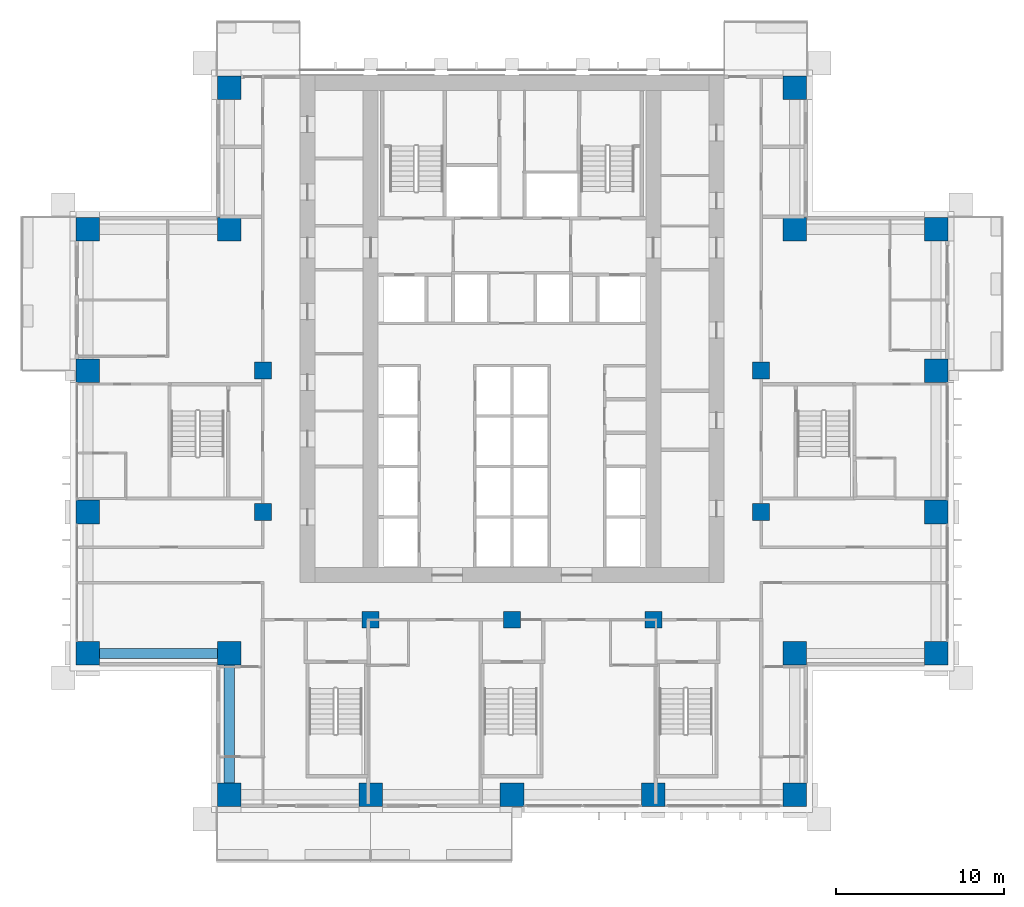
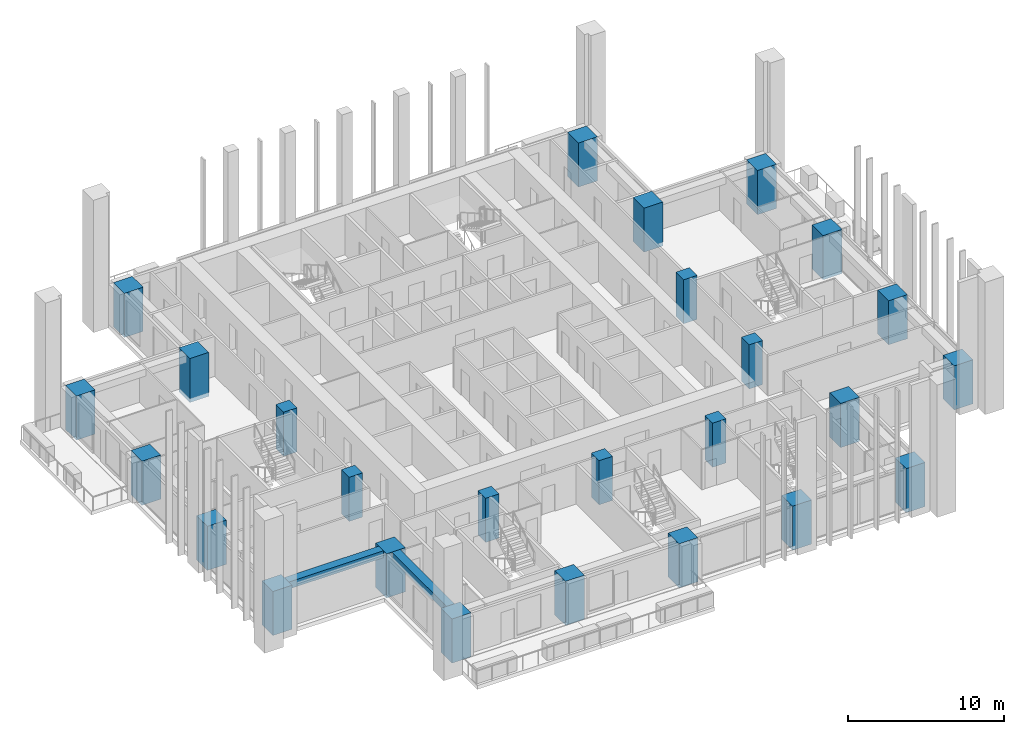
# One storey, part 1 of 17: 26 columns, 2 beams.
"""IFC4 building model written with IfcOpenShell, lengths in metres."""

from ifc_helpers import new_model, si_unit, direction, frame, origin, origin_2d, place, context, subcontext, project, spatial, rectangle, extrude, material, material_profile, profile_set, type_object, element, save


model = new_model("IFC4")

# Units and contexts
model_context = context("Model", 3, precision=1e-05, world=origin(), true_north=direction((0.0, 1.0)))
body_context = subcontext(model_context, "Body", "Model", "MODEL_VIEW")
ifc_project = project(units=[si_unit("LENGTHUNIT", "METRE"), si_unit("AREAUNIT", "SQUARE_METRE"), si_unit("VOLUMEUNIT", "CUBIC_METRE"), si_unit("PLANEANGLEUNIT", "RADIAN"), si_unit("MASSUNIT", "GRAM", prefix="KILO")], contexts=[model_context])

# Site, building, storey
site_placement = place(None, origin())
site = spatial("IfcSite", under=ifc_project, at=site_placement, CompositionType="ELEMENT")
building_placement = place(site_placement, origin())
building = spatial("IfcBuilding", under=site, at=building_placement, Name="Vermilion Ogive Tower", CompositionType="ELEMENT")
storey_placement = place(building_placement, frame((0.0, 0.0, 37.949951171875)))
storey = spatial("IfcBuildingStorey", under=building, at=storey_placement, Name="L07", CompositionType="ELEMENT", Elevation=37.949951171875)

# Columns
ifc_material_1 = material(Name="Concrete B80", Category="concrete")
ifc_material_profile_1 = material_profile(ifc_material_1, rectangle(XDim=1.39990234375, YDim=1.39990234375, at=origin_2d()), Name="1400 x 1400")
ifc_profile_set_1 = profile_set([ifc_material_profile_1], Name="Concrete B80")
column_type_1 = type_object("IfcColumnType", Name="Perimeter column 1400 x 1400 B80", PredefinedType="COLUMN", material=ifc_profile_set_1)
for number, where, z_axis, x_axis, name in (
    (1, (-16.800048828125, -21.0, -0.320068359375), (0.0, 0.0, 1.0), (1.0, 0.0, 0.0), "COL-L07-P-0168-210"),
    (2, (-8.39990234375, -21.0, -0.320068359375), (0.0, 0.0, 1.0), (1.0, 0.0, 0.0), "COL-L07-P-0084-210"),
    (3, (0.0, -21.0, -0.320068359375), (0.0, 0.0, 1.0), (1.0, 0.0, 0.0), "COL-L07-P+0000-210"),
    (4, (8.39990234375, -21.0, -0.320068359375), (0.0, 0.0, 1.0), (1.0, 0.0, 0.0), "COL-L07-P+0084-210"),
    (5, (16.800048828125, -21.0, -0.320068359375), (0.0, 0.0, 1.0), (1.0, 0.0, 0.0), "COL-L07-P+0168-210"),
    (6, (-25.199951171875, -12.60009765625, -0.320068359375), (0.0, 0.0, 1.0), (1.0, 0.0, 0.0), "COL-L07-P-0252-126"),
    (7, (-16.800048828125, -12.60009765625, -0.320068359375), (0.0, 0.0, 1.0), (1.0, 0.0, 0.0), "COL-L07-P-0168-126"),
    (8, (16.800048828125, -12.60009765625, -0.320068359375), (0.0, 0.0, 1.0), (1.0, 0.0, 0.0), "COL-L07-P+0168-126"),
    (9, (25.199951171875, -12.60009765625, -0.320068359375), (0.0, 0.0, 1.0), (1.0, 0.0, 0.0), "COL-L07-P+0252-126"),
    (10, (-25.199951171875, -4.199951171875, -0.320068359375), (0.0, 0.0, 1.0), (1.0, 0.0, 0.0), "COL-L07-P-0252-042"),
    (11, (25.199951171875, -4.199951171875, -0.320068359375), (0.0, 0.0, 1.0), (1.0, 0.0, 0.0), "COL-L07-P+0252-042"),
    (12, (-25.199951171875, 4.199951171875, -0.320068359375), (0.0, 0.0, 1.0), (1.0, 0.0, 0.0), "COL-L07-P-0252+042"),
    (13, (25.199951171875, 4.199951171875, -0.320068359375), (0.0, 0.0, 1.0), (1.0, 0.0, 0.0), "COL-L07-P+0252+042"),
    (14, (-25.199951171875, 12.60009765625, -0.320068359375), (0.0, 0.0, 1.0), (1.0, 0.0, 0.0), "COL-L07-P-0252+126"),
    (15, (-16.800048828125, 12.60009765625, -0.320068359375), (0.0, 0.0, 1.0), (1.0, 0.0, 0.0), "COL-L07-P-0168+126"),
    (16, (16.800048828125, 12.60009765625, -0.320068359375), (0.0, 0.0, 1.0), (1.0, 0.0, 0.0), "COL-L07-P+0168+126"),
    (17, (25.199951171875, 12.60009765625, -0.320068359375), (0.0, 0.0, 1.0), (1.0, 0.0, 0.0), "COL-L07-P+0252+126"),
    (18, (-16.800048828125, 21.0, -0.320068359375), (0.0, 0.0, 1.0), (1.0, 0.0, 0.0), "COL-L07-P-0168+210"),
    (19, (16.800048828125, 21.0, -0.320068359375), (0.0, 0.0, 1.0), (1.0, 0.0, 0.0), "COL-L07-P+0168+210"),
):
    element("IfcColumn", number, at=place(storey_placement, frame(where, z_axis=z_axis, x_axis=x_axis)), inside=storey, type_object=column_type_1, Name=name, PredefinedType="COLUMN", context=body_context, shape_type="SweptSolid", body=[
        extrude(rectangle(XDim=1.39990234375, YDim=1.39990234375, at=origin_2d()), origin(), (0.0, 0.0, 1.0), 3.4501953125),
    ])
ifc_material_2 = material(Name="Concrete B80", Category="concrete")
ifc_material_profile_2 = material_profile(ifc_material_2, rectangle(XDim=1.0, YDim=1.0, at=origin_2d()), Name="1000 x 1000")
ifc_profile_set_2 = profile_set([ifc_material_profile_2], Name="Concrete B80")
column_type_2 = type_object("IfcColumnType", Name="Ring column 1000 x 1000 B80", PredefinedType="COLUMN", material=ifc_profile_set_2)
for number, where, z_axis, x_axis, name in (
    (20, (-8.39990234375, -10.60009765625, -0.320068359375), (0.0, 0.0, 1.0), (1.0, 0.0, 0.0), "COL-L07-R-0084-106"),
    (21, (0.0, -10.60009765625, -0.320068359375), (0.0, 0.0, 1.0), (1.0, 0.0, 0.0), "COL-L07-R+0000-106"),
    (22, (8.39990234375, -10.60009765625, -0.320068359375), (0.0, 0.0, 1.0), (1.0, 0.0, 0.0), "COL-L07-R+0084-106"),
    (23, (-14.800048828125, -4.199951171875, -0.320068359375), (0.0, 0.0, 1.0), (1.0, 0.0, 0.0), "COL-L07-R-0148-042"),
    (24, (14.800048828125, -4.199951171875, -0.320068359375), (0.0, 0.0, 1.0), (1.0, 0.0, 0.0), "COL-L07-R+0148-042"),
    (25, (-14.800048828125, 4.199951171875, -0.320068359375), (0.0, 0.0, 1.0), (1.0, 0.0, 0.0), "COL-L07-R-0148+042"),
    (26, (14.800048828125, 4.199951171875, -0.320068359375), (0.0, 0.0, 1.0), (1.0, 0.0, 0.0), "COL-L07-R+0148+042"),
):
    element("IfcColumn", number, at=place(storey_placement, frame(where, z_axis=z_axis, x_axis=x_axis)), inside=storey, type_object=column_type_2, Name=name, PredefinedType="COLUMN", context=body_context, shape_type="SweptSolid", body=[
        extrude(rectangle(XDim=1.0, YDim=1.0, at=origin_2d()), origin(), (0.0, 0.0, 1.0), 3.4501953125),
    ])

# Beams
ifc_material_3 = material(Name="Concrete B45", Category="concrete")
ifc_material_profile_3 = material_profile(ifc_material_3, rectangle(XDim=0.60009765625, YDim=0.550048828125, at=origin_2d()), Name="600 x 550")
ifc_profile_set_3 = profile_set([ifc_material_profile_3], Name="Concrete B45")
beam_type = type_object("IfcBeamType", Name="Edge beam 600 x 550 B45", PredefinedType="BEAM", material=ifc_profile_set_3)
for number, where, z_axis, x_axis, name in (
    (27, (-24.5, -12.60009765625, 2.85498046875), (1.0, 0.0, 0.0), (0.0, 1.0, 0.0), "L07-EB-17"),
    (28, (-16.800048828125, -13.300048828125, 2.85498046875), (0.0, -1.0, 0.0), (1.0, 0.0, 0.0), "L07-EB-18"),
):
    element("IfcBeam", number, at=place(storey_placement, frame(where, z_axis=z_axis, x_axis=x_axis)), inside=storey, type_object=beam_type, Name=name, PredefinedType="BEAM", context=body_context, shape_type="SweptSolid", body=[
        extrude(rectangle(XDim=0.60009765625, YDim=0.550048828125, at=origin_2d()), origin(), (0.0, 0.0, 1.0), 7.0),
    ])

save(model, "model.ifc")
